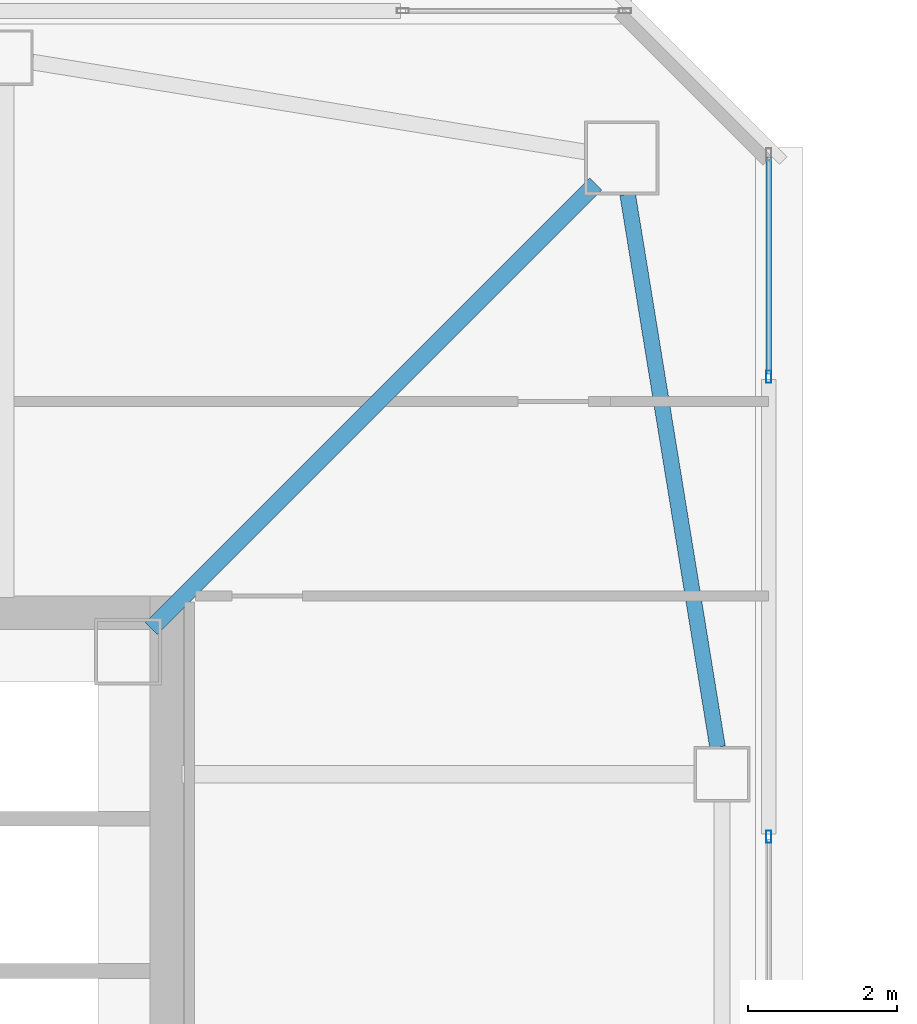
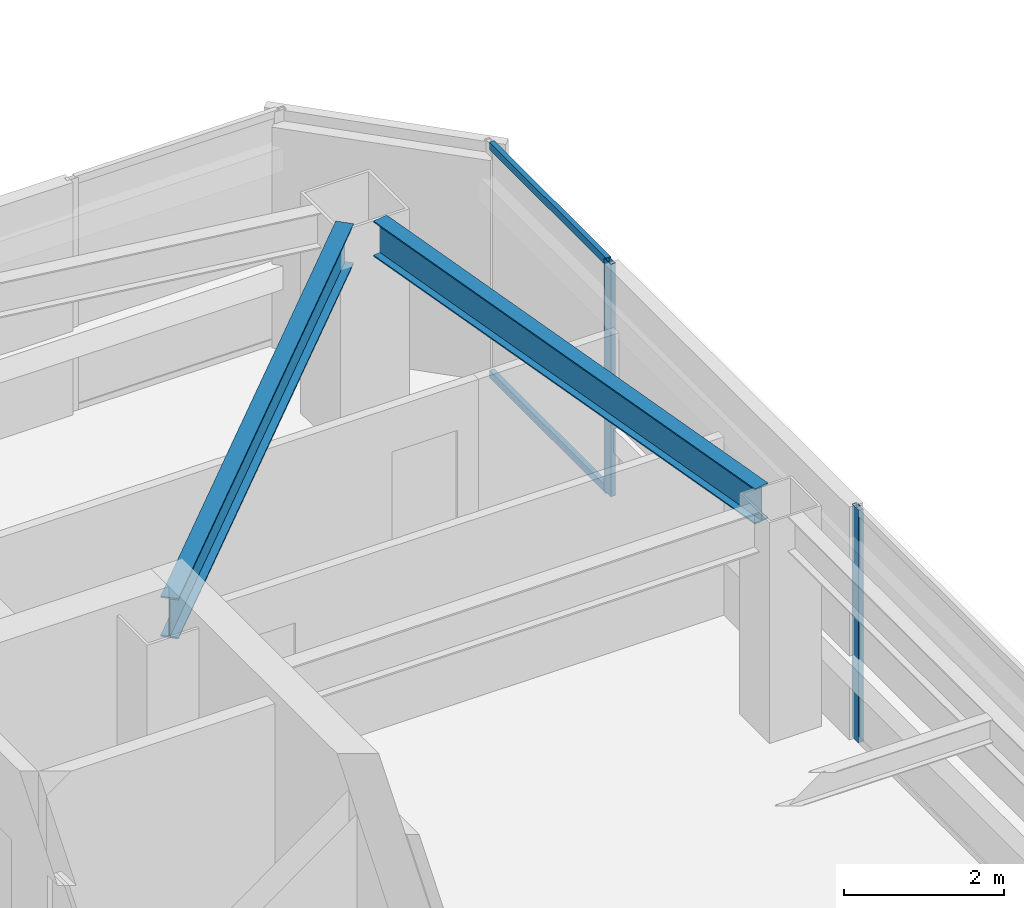
# One storey, part 11 of 36: 4 members, 2 beams, 2 elements without a shape of their own.
"""IFC4 building model written with IfcOpenShell, lengths in metres."""

from ifc_helpers import new_model, si_unit, direction, frame, origin, origin_2d, place, context, subcontext, project, spatial, hollow_rectangle, i_section, extrude, material, material_profile, profile_set, type_object, element, aggregate, save


model = new_model("IFC4")

# Units and contexts
model_context = context("Model", 3, precision=1e-05, world=origin(), true_north=direction((0.0, 1.0)))
body_context = subcontext(model_context, "Body", "Model", "MODEL_VIEW")
ifc_project = project(units=[si_unit("LENGTHUNIT", "METRE"), si_unit("AREAUNIT", "SQUARE_METRE"), si_unit("VOLUMEUNIT", "CUBIC_METRE"), si_unit("PLANEANGLEUNIT", "RADIAN"), si_unit("MASSUNIT", "GRAM", prefix="KILO")], contexts=[model_context])

# Site, building, storey
site_placement = place(None, origin())
site = spatial("IfcSite", under=ifc_project, at=site_placement, CompositionType="ELEMENT")
building_placement = place(site_placement, origin())
building = spatial("IfcBuilding", under=site, at=building_placement, Name="Tashvorn Skyway Center", CompositionType="ELEMENT")
storey_placement = place(building_placement, frame((0.0, 0.0, 236.14990234375)))
storey = spatial("IfcBuildingStorey", under=building, at=storey_placement, Name="L64", CompositionType="ELEMENT", Elevation=236.14990234375)

# Beams
ifc_material_1 = material(Name="Steel ASTM A992 Grade 50", Category="steel")
ifc_material_profile_1 = material_profile(ifc_material_1, i_section(OverallWidth=0.22998046875, OverallDepth=0.616943359375, WebThickness=0.01318359375, FlangeThickness=0.022216796875, at=origin_2d()), Name="W24X94")
ifc_profile_set_1 = profile_set([ifc_material_profile_1], Name="Steel ASTM A992 Grade 50")
beam_type_1 = type_object("IfcBeamType", Name="BM-BEAM-W24X94", PredefinedType="BEAM", material=ifc_profile_set_1)
beam_1_placement = place(storey_placement, frame((55.35009765625, 45.35009765625, 3.0615234375), z_axis=(-0.707106781187, -0.707106781187, 0.0), x_axis=(0.707106781187, -0.707106781187, 0.0)))
element("IfcBeam", 1, at=beam_1_placement, inside=storey, type_object=beam_type_1, Name="Tower 1 L64 Primary Floor Girder MC-NE", PredefinedType="BEAM", context=body_context, shape_type="SweptSolid", body=[
    extrude(i_section(OverallWidth=0.22998046875, OverallDepth=0.616943359375, WebThickness=0.01318359375, FlangeThickness=0.022216796875, at=origin_2d()), origin(), (0.0, 0.0, 1.0), 8.464599609375),
])
ifc_material_profile_2 = material_profile(ifc_material_1, i_section(OverallWidth=0.2109375, OverallDepth=0.5390625, WebThickness=0.01171875, FlangeThickness=0.018798828125, at=origin_2d()), Name="W21X73")
ifc_profile_set_2 = profile_set([ifc_material_profile_2], Name="Steel ASTM A992 Grade 50")
beam_type_2 = type_object("IfcBeamType", Name="BM-SPANDREL-W21X73", PredefinedType="SPANDREL", material=ifc_profile_set_2)
beam_2_placement = place(storey_placement, frame((56.990478515625, 37.76513671875, 3.1005859375), z_axis=(-0.160514302677, 0.987033514444, 0.0), x_axis=(-0.987033514444, -0.160514302677, 0.0)))
element("IfcBeam", 2, at=beam_2_placement, inside=storey, type_object=beam_type_2, Name="Tower 1 L64 Spandrel Beam 06", PredefinedType="SPANDREL", context=body_context, shape_type="SweptSolid", body=[
    extrude(i_section(OverallWidth=0.2109375, OverallDepth=0.5390625, WebThickness=0.01171875, FlangeThickness=0.018798828125, at=origin_2d()), origin(), (0.0, 0.0, 1.0), 7.544189453125),
])

# Curtain wall, member
ifc_material_2 = material(Name="Thermally broken bronze-anodized aluminium 6063-T6", Category="aluminium")
curtain_wall_type = type_object("IfcCurtainWallType", Name="CW-CW-Z5", PredefinedType="NOTDEFINED", material=ifc_material_2)
curtain_wall_1_placement = place(storey_placement, origin())
curtain_wall_1 = element("IfcCurtainWall", 3, at=curtain_wall_1_placement, inside=storey, type_object=curtain_wall_type, Name="Tower 1 L64 East Unitised Curtain Wall Glazing Group 1", PredefinedType="NOTDEFINED")
ifc_material_profile_3 = material_profile(ifc_material_2, hollow_rectangle(XDim=0.070068359375, YDim=0.1650390625, WallThickness=0.00390625, at=origin_2d()), Name="ALU-MULL-70x165")
ifc_profile_set_3 = profile_set([ifc_material_profile_3], Name="Thermally broken bronze-anodized aluminium 6063-T6")
member_type_1 = type_object("IfcMemberType", Name="CWM-CW-Z5", PredefinedType="MULLION", material=ifc_profile_set_3)
member_1_placement = place(storey_placement, frame((57.679931640625, 42.752685546875, 0.0), z_axis=(0.0, 0.0, 1.0), x_axis=(1.0, 0.0, 0.0)))
member_1 = element("IfcMember", 4, at=member_1_placement, type_object=member_type_1, Name="CW-Z5 mullion 2", PredefinedType="MULLION", context=body_context, shape_type="SweptSolid", body=[
    extrude(hollow_rectangle(XDim=0.070068359375, YDim=0.1650390625, WallThickness=0.00390625, at=origin_2d()), origin(), (0.0, 0.0, 1.0), 3.550048828125),
])

curtain_wall_2_placement = place(storey_placement, origin())
curtain_wall_2 = element("IfcCurtainWall", 5, at=curtain_wall_2_placement, inside=storey, type_object=curtain_wall_type, Name="Tower 1 L64 East Unitised Curtain Wall Glazing Group 2", PredefinedType="NOTDEFINED")
member_2_placement = place(storey_placement, frame((57.679931640625, 36.558349609375, 0.0), z_axis=(0.0, 0.0, 1.0), x_axis=(1.0, 0.0, 0.0)))
member_2 = element("IfcMember", 6, at=member_2_placement, type_object=member_type_1, Name="CW-Z5 mullion 1", PredefinedType="MULLION", context=body_context, shape_type="SweptSolid", body=[
    extrude(hollow_rectangle(XDim=0.070068359375, YDim=0.1650390625, WallThickness=0.00390625, at=origin_2d()), origin(), (0.0, 0.0, 1.0), 3.550048828125),
])
aggregate(curtain_wall_2, [member_2])

# Member
ifc_material_profile_4 = material_profile(ifc_material_2, hollow_rectangle(XDim=0.070068359375, YDim=0.114990234375, WallThickness=0.00390625, at=origin_2d()), Name="ALU-TRAN-70x115")
ifc_profile_set_4 = profile_set([ifc_material_profile_4], Name="Thermally broken bronze-anodized aluminium 6063-T6")
member_type_2 = type_object("IfcMemberType", Name="CWT-CW-Z5", PredefinedType="USERDEFINED", material=ifc_profile_set_4)
member_3_placement = place(storey_placement, frame((57.679931640625, 45.7099609375, 0.03515625), z_axis=(0.0, -1.0, 0.0), x_axis=(1.0, 0.0, 0.0)))
member_3 = element("IfcMember", 7, at=member_3_placement, type_object=member_type_2, Name="CW-Z5 transom 1.1", ObjectType="TRANSOM", PredefinedType="USERDEFINED", context=body_context, shape_type="SweptSolid", body=[
    extrude(hollow_rectangle(XDim=0.070068359375, YDim=0.114990234375, WallThickness=0.00390625, at=origin_2d()), origin(), (0.0, 0.0, 1.0), 2.922119140625),
])

member_4_placement = place(storey_placement, frame((57.679931640625, 45.7099609375, 3.51513671875), z_axis=(0.0, -1.0, 0.0), x_axis=(1.0, 0.0, 0.0)))
member_4 = element("IfcMember", 8, at=member_4_placement, type_object=member_type_2, Name="CW-Z5 transom 1.2", ObjectType="TRANSOM", PredefinedType="USERDEFINED", context=body_context, shape_type="SweptSolid", body=[
    extrude(hollow_rectangle(XDim=0.070068359375, YDim=0.114990234375, WallThickness=0.00390625, at=origin_2d()), origin(), (0.0, 0.0, 1.0), 2.922119140625),
])

aggregate(curtain_wall_1, [member_1, member_3, member_4])

save(model, "model.ifc")
